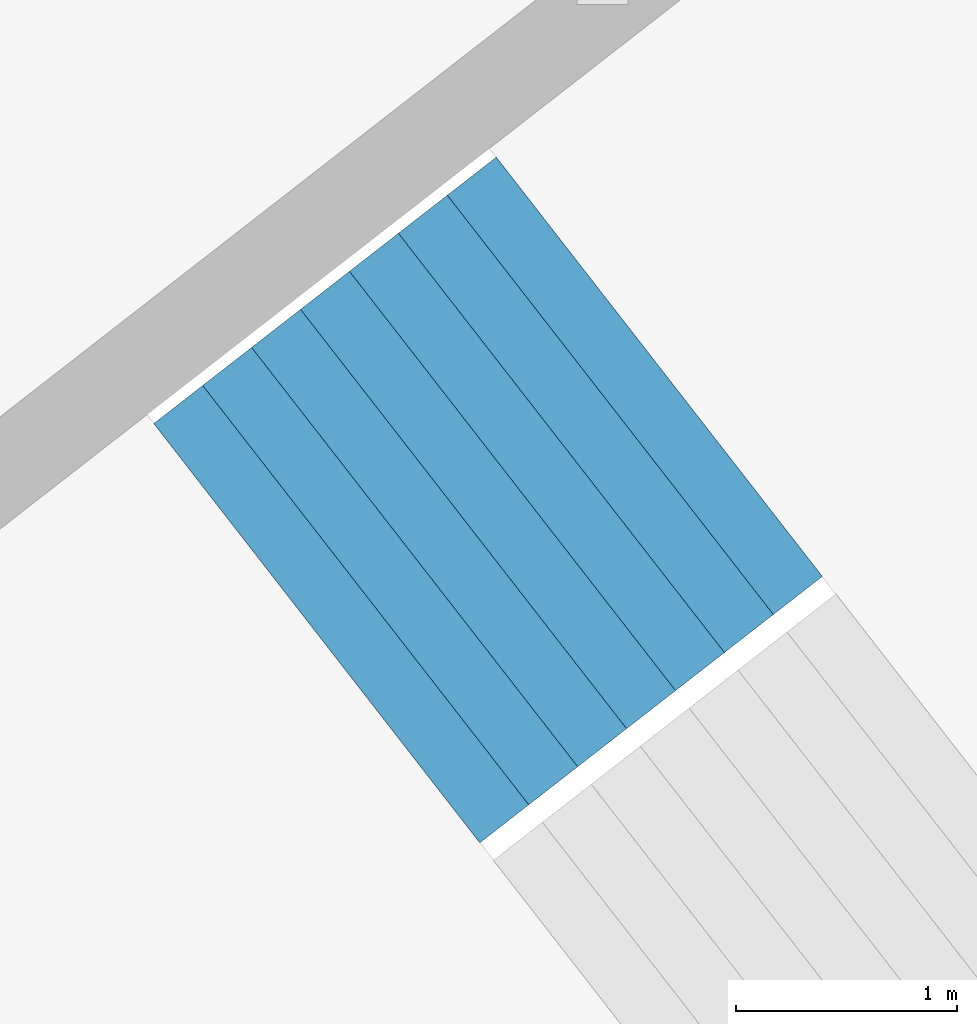
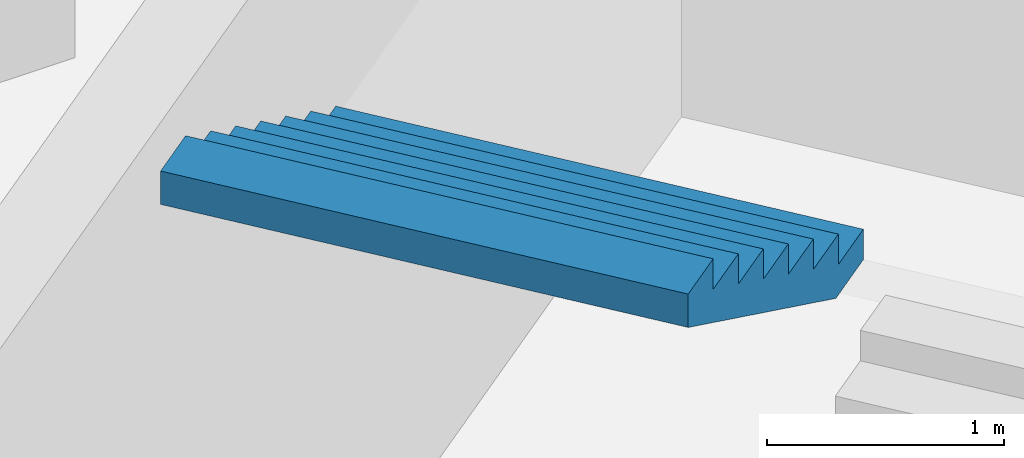
# One storey, part 64 of 73: 1 stair flight, 1 element without a shape of its own.
"""IFC4 building model written with IfcOpenShell, lengths in metres."""

from ifc_helpers import new_model, si_unit, direction, frame, origin, place, context, subcontext, project, spatial, triangles, material, type_object, element, aggregate, save


model = new_model("IFC4")

# Units and contexts
model_context = context("Model", 3, precision=1e-05, world=origin(), true_north=direction((0.0, 1.0)))
body_context = subcontext(model_context, "Body", "Model", "MODEL_VIEW")
ifc_project = project(units=[si_unit("LENGTHUNIT", "METRE"), si_unit("AREAUNIT", "SQUARE_METRE"), si_unit("VOLUMEUNIT", "CUBIC_METRE"), si_unit("PLANEANGLEUNIT", "RADIAN"), si_unit("MASSUNIT", "GRAM", prefix="KILO")], contexts=[model_context])

# Site, building, storey
site_placement = place(None, origin())
site = spatial("IfcSite", under=ifc_project, at=site_placement, CompositionType="ELEMENT")
building_placement = place(site_placement, origin())
building = spatial("IfcBuilding", under=site, at=building_placement, Name="Lantaw Convention Tower", CompositionType="ELEMENT")
storey_placement = place(building_placement, frame((0.0, 0.0, 27.0)))
storey = spatial("IfcBuildingStorey", under=building, at=storey_placement, Name="L04", CompositionType="ELEMENT", Elevation=27.0)

# Stair, stair flight
ifc_material = material(Name="Concrete C35/45", Category="concrete")
stair_type = type_object("IfcStairType", Name="Exit stair 2400 riser 156.25 in 4 flights", PredefinedType="HALF_TURN_STAIR", material=ifc_material)
stair_placement = place(storey_placement, origin())
stair = element("IfcStair", 1, at=stair_placement, inside=storey, type_object=stair_type, Name="Podium exit stair P3 L04", PredefinedType="HALF_TURN_STAIR")
stair_flight_type = type_object("IfcStairFlightType", Name="Stair flight 2400 riser 156.25", PredefinedType="STRAIGHT", material=ifc_material)
stair_flight_placement = place(storey_placement, frame((29.5068359375, 24.53125, 3.75), z_axis=(0.0, 0.0, 1.0), x_axis=(-0.789378829664, -0.613906396186, 0.0)))
stair_flight = element("IfcStairFlight", 2, at=stair_flight_placement, type_object=stair_flight_type, Name="P3 flight 4", NumberOfRisers=8, NumberOfTreads=7, PredefinedType="STRAIGHT", RiserHeight=0.15625, TreadLength=0.28, context=body_context, shape_type="Tessellation", body=[
    triangles([(0.0, 1.199951171875, 0.0), (0.0, 1.199951171875, 0.15625), (0.28, 1.199951171875, 0.0), (0.28, 1.199951171875, 0.15625), (0.28, 1.199951171875, 0.3125), (0.3076200632058044, 1.199951171875, 0.0), (0.3076200632058044, 1.199951171875, 0.3125), (0.56, 1.199951171875, 0.14083701830033238), (0.56, 1.199951171875, 0.3125), (0.56, 1.199951171875, 0.46875), (0.8400000000000001, 1.199951171875, 0.29708701830033235), (0.8400000000000001, 1.199951171875, 0.46875), (0.8400000000000001, 1.199951171875, 0.625), (1.12, 1.199951171875, 0.45333701830033235), (1.12, 1.199951171875, 0.625), (1.12, 1.199951171875, 0.78125), (1.4000000000000001, 1.199951171875, 0.6095870183003324), (1.4000000000000001, 1.199951171875, 0.78125), (1.4000000000000001, 1.199951171875, 0.9375), (1.6800000000000002, 1.199951171875, 0.7658370183003324), (1.6800000000000002, 1.199951171875, 0.9375), (1.6800000000000002, 1.199951171875, 1.09375), (1.9600000000000002, 1.199951171875, 0.9220870183003324), (1.9600000000000002, 1.199951171875, 1.09375), (0.0, -1.199951171875, 0.0), (0.0, -1.199951171875, 0.15625), (0.28, -1.199951171875, 0.0), (0.28, -1.199951171875, 0.15625), (0.28, -1.199951171875, 0.3125), (0.3076200632058044, -1.199951171875, 0.0), (0.3076200632058044, -1.199951171875, 0.3125), (0.56, -1.199951171875, 0.14083701830033238), (0.56, -1.199951171875, 0.3125), (0.56, -1.199951171875, 0.46875), (0.8400000000000001, -1.199951171875, 0.29708701830033235), (0.8400000000000001, -1.199951171875, 0.46875), (0.8400000000000001, -1.199951171875, 0.625), (1.12, -1.199951171875, 0.45333701830033235), (1.12, -1.199951171875, 0.625), (1.12, -1.199951171875, 0.78125), (1.4000000000000001, -1.199951171875, 0.6095870183003324), (1.4000000000000001, -1.199951171875, 0.78125), (1.4000000000000001, -1.199951171875, 0.9375), (1.6800000000000002, -1.199951171875, 0.7658370183003324), (1.6800000000000002, -1.199951171875, 0.9375), (1.6800000000000002, -1.199951171875, 1.09375), (1.9600000000000002, -1.199951171875, 0.9220870183003324), (1.9600000000000002, -1.199951171875, 1.09375), (0.0, 0.239990234375, 0.15625), (0.0, 0.239990234375, 0.0), (0.0, 0.1919921875, 0.15625), (0.0, 0.1919921875, 0.0), (0.0, 0.143994140625, 0.15625), (0.0, 0.143994140625, 0.0), (0.0, 0.09599609375, 0.15625), (0.0, 0.09599609375, 0.0), (0.0, 0.047998046875, 0.15625), (0.0, 0.047998046875, 0.0), (0.0, 0.0, 0.15625), (0.0, 0.0, 0.0), (0.0, -0.047998046875, 0.15625), (0.0, -0.047998046875, 0.0), (0.0, -0.09599609375, 0.15625), (0.0, -0.09599609375, 0.0), (0.0, -0.143994140625, 0.15625), (0.0, -0.143994140625, 0.0), (0.0, -0.1919921875, 0.15625), (0.0, -0.1919921875, 0.0), (0.0, -0.239990234375, 0.15625), (0.0, -0.239990234375, 0.0), (0.28, 0.239990234375, 0.3125), (0.28, 0.239990234375, 0.15625), (0.28, 0.1919921875, 0.3125), (0.28, 0.1919921875, 0.15625), (0.28, 0.143994140625, 0.3125), (0.28, 0.143994140625, 0.15625), (0.28, 0.09599609375, 0.3125), (0.28, 0.09599609375, 0.15625), (0.28, 0.047998046875, 0.3125), (0.28, 0.047998046875, 0.15625), (0.28, 0.0, 0.3125), (0.28, 0.0, 0.15625), (0.28, -0.047998046875, 0.3125), (0.28, -0.047998046875, 0.15625), (0.28, -0.09599609375, 0.3125), (0.28, -0.09599609375, 0.15625), (0.28, -0.143994140625, 0.3125), (0.28, -0.143994140625, 0.15625), (0.28, -0.1919921875, 0.3125), (0.28, -0.1919921875, 0.15625), (0.28, -0.239990234375, 0.3125), (0.28, -0.239990234375, 0.15625), (0.56, 0.239990234375, 0.46875), (0.56, 0.239990234375, 0.3125), (0.56, 0.1919921875, 0.46875), (0.56, 0.1919921875, 0.3125), (0.56, 0.143994140625, 0.46875), (0.56, 0.143994140625, 0.3125), (0.56, 0.09599609375, 0.46875), (0.56, 0.09599609375, 0.3125), (0.56, 0.047998046875, 0.46875), (0.56, 0.047998046875, 0.3125), (0.56, 0.0, 0.46875), (0.56, 0.0, 0.3125), (0.56, -0.047998046875, 0.46875), (0.56, -0.047998046875, 0.3125), (0.56, -0.09599609375, 0.46875), (0.56, -0.09599609375, 0.3125), (0.56, -0.143994140625, 0.46875), (0.56, -0.143994140625, 0.3125), (0.56, -0.1919921875, 0.46875), (0.56, -0.1919921875, 0.3125), (0.56, -0.239990234375, 0.46875), (0.56, -0.239990234375, 0.3125), (0.8400000000000001, 0.239990234375, 0.625), (0.8400000000000001, 0.239990234375, 0.46875), (0.8400000000000001, 0.1919921875, 0.625), (0.8400000000000001, 0.1919921875, 0.46875), (0.8400000000000001, 0.143994140625, 0.625), (0.8400000000000001, 0.143994140625, 0.46875), (0.8400000000000001, 0.09599609375, 0.625), (0.8400000000000001, 0.09599609375, 0.46875), (0.8400000000000001, 0.047998046875, 0.625), (0.8400000000000001, 0.047998046875, 0.46875), (0.8400000000000001, 0.0, 0.625), (0.8400000000000001, 0.0, 0.46875), (0.8400000000000001, -0.047998046875, 0.625), (0.8400000000000001, -0.047998046875, 0.46875), (0.8400000000000001, -0.09599609375, 0.625), (0.8400000000000001, -0.09599609375, 0.46875), (0.8400000000000001, -0.143994140625, 0.625), (0.8400000000000001, -0.143994140625, 0.46875), (0.8400000000000001, -0.1919921875, 0.625), (0.8400000000000001, -0.1919921875, 0.46875), (0.8400000000000001, -0.239990234375, 0.625), (0.8400000000000001, -0.239990234375, 0.46875), (1.12, 0.239990234375, 0.78125), (1.12, 0.239990234375, 0.625), (1.12, 0.1919921875, 0.78125), (1.12, 0.1919921875, 0.625), (1.12, 0.143994140625, 0.78125), (1.12, 0.143994140625, 0.625), (1.12, 0.09599609375, 0.78125), (1.12, 0.09599609375, 0.625), (1.12, 0.047998046875, 0.78125), (1.12, 0.047998046875, 0.625), (1.12, 0.0, 0.78125), (1.12, 0.0, 0.625), (1.12, -0.047998046875, 0.78125), (1.12, -0.047998046875, 0.625), (1.12, -0.09599609375, 0.78125), (1.12, -0.09599609375, 0.625), (1.12, -0.143994140625, 0.78125), (1.12, -0.143994140625, 0.625), (1.12, -0.1919921875, 0.78125), (1.12, -0.1919921875, 0.625), (1.12, -0.239990234375, 0.78125), (1.12, -0.239990234375, 0.625), (1.4000000000000001, 0.239990234375, 0.9375), (1.4000000000000001, 0.239990234375, 0.78125), (1.4000000000000001, 0.1919921875, 0.9375), (1.4000000000000001, 0.1919921875, 0.78125), (1.4000000000000001, 0.143994140625, 0.9375), (1.4000000000000001, 0.143994140625, 0.78125), (1.4000000000000001, 0.09599609375, 0.9375), (1.4000000000000001, 0.09599609375, 0.78125), (1.4000000000000001, 0.047998046875, 0.9375), (1.4000000000000001, 0.047998046875, 0.78125), (1.4000000000000001, 0.0, 0.9375), (1.4000000000000001, 0.0, 0.78125), (1.4000000000000001, -0.047998046875, 0.9375), (1.4000000000000001, -0.047998046875, 0.78125), (1.4000000000000001, -0.09599609375, 0.9375), (1.4000000000000001, -0.09599609375, 0.78125), (1.4000000000000001, -0.143994140625, 0.9375), (1.4000000000000001, -0.143994140625, 0.78125), (1.4000000000000001, -0.1919921875, 0.9375), (1.4000000000000001, -0.1919921875, 0.78125), (1.4000000000000001, -0.239990234375, 0.9375), (1.4000000000000001, -0.239990234375, 0.78125), (1.6800000000000002, 0.239990234375, 1.09375), (1.6800000000000002, 0.239990234375, 0.9375), (1.6800000000000002, 0.1919921875, 1.09375), (1.6800000000000002, 0.1919921875, 0.9375), (1.6800000000000002, 0.143994140625, 1.09375), (1.6800000000000002, 0.143994140625, 0.9375), (1.6800000000000002, 0.09599609375, 1.09375), (1.6800000000000002, 0.09599609375, 0.9375), (1.6800000000000002, 0.047998046875, 1.09375), (1.6800000000000002, 0.047998046875, 0.9375), (1.6800000000000002, 0.0, 1.09375), (1.6800000000000002, 0.0, 0.9375), (1.6800000000000002, -0.047998046875, 1.09375), (1.6800000000000002, -0.047998046875, 0.9375), (1.6800000000000002, -0.09599609375, 1.09375), (1.6800000000000002, -0.09599609375, 0.9375), (1.6800000000000002, -0.143994140625, 1.09375), (1.6800000000000002, -0.143994140625, 0.9375), (1.6800000000000002, -0.1919921875, 1.09375), (1.6800000000000002, -0.1919921875, 0.9375), (1.6800000000000002, -0.239990234375, 1.09375), (1.6800000000000002, -0.239990234375, 0.9375), (0.3076200632058044, 0.239990234375, 0.3125), (0.3076200632058044, 0.1919921875, 0.3125), (0.3076200632058044, 0.143994140625, 0.3125), (0.3076200632058044, 0.09599609375, 0.3125), (0.3076200632058044, 0.047998046875, 0.3125), (0.3076200632058044, 0.0, 0.3125), (0.3076200632058044, -0.047998046875, 0.3125), (0.3076200632058044, -0.09599609375, 0.3125), (0.3076200632058044, -0.143994140625, 0.3125), (0.3076200632058044, -0.1919921875, 0.3125), (0.3076200632058044, -0.239990234375, 0.3125), (1.9600000000000002, 0.239990234375, 1.09375), (1.9600000000000002, 0.1919921875, 1.09375), (1.9600000000000002, 0.143994140625, 1.09375), (1.9600000000000002, 0.09599609375, 1.09375), (1.9600000000000002, 0.047998046875, 1.09375), (1.9600000000000002, 0.0, 1.09375), (1.9600000000000002, -0.047998046875, 1.09375), (1.9600000000000002, -0.09599609375, 1.09375), (1.9600000000000002, -0.143994140625, 1.09375), (1.9600000000000002, -0.1919921875, 1.09375), (1.9600000000000002, -0.239990234375, 1.09375), (1.9600000000000002, 0.239990234375, 0.9220870183003324), (1.9600000000000002, 0.1919921875, 0.9220870183003324), (1.9600000000000002, 0.143994140625, 0.9220870183003324), (1.9600000000000002, 0.09599609375, 0.9220870183003324), (1.9600000000000002, 0.047998046875, 0.9220870183003324), (1.9600000000000002, 0.0, 0.9220870183003324), (1.9600000000000002, -0.047998046875, 0.9220870183003324), (1.9600000000000002, -0.09599609375, 0.9220870183003324), (1.9600000000000002, -0.143994140625, 0.9220870183003324), (1.9600000000000002, -0.1919921875, 0.9220870183003324), (1.9600000000000002, -0.239990234375, 0.9220870183003324), (1.6800000000000002, 0.239990234375, 0.7658370183003324), (1.6800000000000002, 0.1919921875, 0.7658370183003324), (1.6800000000000002, 0.143994140625, 0.7658370183003324), (1.6800000000000002, 0.09599609375, 0.7658370183003324), (1.6800000000000002, 0.047998046875, 0.7658370183003324), (1.6800000000000002, 0.0, 0.7658370183003324), (1.6800000000000002, -0.047998046875, 0.7658370183003324), (1.6800000000000002, -0.09599609375, 0.7658370183003324), (1.6800000000000002, -0.143994140625, 0.7658370183003324), (1.6800000000000002, -0.1919921875, 0.7658370183003324), (1.6800000000000002, -0.239990234375, 0.7658370183003324), (1.4000000000000001, 0.239990234375, 0.6095870183003324), (1.4000000000000001, 0.1919921875, 0.6095870183003324), (1.4000000000000001, 0.143994140625, 0.6095870183003324), (1.4000000000000001, 0.09599609375, 0.6095870183003324), (1.4000000000000001, 0.047998046875, 0.6095870183003324), (1.4000000000000001, 0.0, 0.6095870183003324), (1.4000000000000001, -0.047998046875, 0.6095870183003324), (1.4000000000000001, -0.09599609375, 0.6095870183003324), (1.4000000000000001, -0.143994140625, 0.6095870183003324), (1.4000000000000001, -0.1919921875, 0.6095870183003324), (1.4000000000000001, -0.239990234375, 0.6095870183003324), (1.12, 0.239990234375, 0.45333701830033235), (1.12, 0.1919921875, 0.45333701830033235), (1.12, 0.143994140625, 0.45333701830033235), (1.12, 0.09599609375, 0.45333701830033235), (1.12, 0.047998046875, 0.45333701830033235), (1.12, 0.0, 0.45333701830033235), (1.12, -0.047998046875, 0.45333701830033235), (1.12, -0.09599609375, 0.45333701830033235), (1.12, -0.143994140625, 0.45333701830033235), (1.12, -0.1919921875, 0.45333701830033235), (1.12, -0.239990234375, 0.45333701830033235), (0.8400000000000001, 0.239990234375, 0.29708701830033235), (0.8400000000000001, 0.1919921875, 0.29708701830033235), (0.8400000000000001, 0.143994140625, 0.29708701830033235), (0.8400000000000001, 0.09599609375, 0.29708701830033235), (0.8400000000000001, 0.047998046875, 0.29708701830033235), (0.8400000000000001, 0.0, 0.29708701830033235), (0.8400000000000001, -0.047998046875, 0.29708701830033235), (0.8400000000000001, -0.09599609375, 0.29708701830033235), (0.8400000000000001, -0.143994140625, 0.29708701830033235), (0.8400000000000001, -0.1919921875, 0.29708701830033235), (0.8400000000000001, -0.239990234375, 0.29708701830033235), (0.56, 0.239990234375, 0.14083701830033238), (0.56, 0.1919921875, 0.14083701830033238), (0.56, 0.143994140625, 0.14083701830033238), (0.56, 0.09599609375, 0.14083701830033238), (0.56, 0.047998046875, 0.14083701830033238), (0.56, 0.0, 0.14083701830033238), (0.56, -0.047998046875, 0.14083701830033238), (0.56, -0.09599609375, 0.14083701830033238), (0.56, -0.143994140625, 0.14083701830033238), (0.56, -0.1919921875, 0.14083701830033238), (0.56, -0.239990234375, 0.14083701830033238), (0.3076200632058044, 0.239990234375, 0.0), (0.3076200632058044, 0.1919921875, 0.0), (0.3076200632058044, 0.143994140625, 0.0), (0.3076200632058044, 0.09599609375, 0.0), (0.3076200632058044, 0.047998046875, 0.0), (0.3076200632058044, 0.0, 0.0), (0.3076200632058044, -0.047998046875, 0.0), (0.3076200632058044, -0.09599609375, 0.0), (0.3076200632058044, -0.143994140625, 0.0), (0.3076200632058044, -0.1919921875, 0.0), (0.3076200632058044, -0.239990234375, 0.0), (0.28, 0.239990234375, 0.0), (0.28, 0.1919921875, 0.0), (0.28, 0.143994140625, 0.0), (0.28, 0.09599609375, 0.0), (0.28, 0.047998046875, 0.0), (0.28, 0.0, 0.0), (0.28, -0.047998046875, 0.0), (0.28, -0.09599609375, 0.0), (0.28, -0.143994140625, 0.0), (0.28, -0.1919921875, 0.0), (0.28, -0.239990234375, 0.0)], [[1, 4, 3], [1, 2, 4], [3, 4, 6], [4, 7, 6], [4, 5, 7], [6, 9, 8], [6, 7, 9], [8, 9, 11], [9, 12, 11], [9, 10, 12], [11, 12, 14], [12, 15, 14], [12, 13, 15], [14, 15, 17], [15, 18, 17], [15, 16, 18], [17, 18, 20], [18, 21, 20], [18, 19, 21], [20, 21, 23], [21, 24, 23], [21, 22, 24], [25, 27, 28], [25, 28, 26], [27, 30, 28], [28, 30, 31], [28, 31, 29], [30, 32, 33], [30, 33, 31], [32, 35, 33], [33, 35, 36], [33, 36, 34], [35, 38, 36], [36, 38, 39], [36, 39, 37], [38, 41, 39], [39, 41, 42], [39, 42, 40], [41, 44, 42], [42, 44, 45], [42, 45, 43], [44, 47, 45], [45, 47, 48], [45, 48, 46], [1, 49, 2], [1, 50, 49], [50, 51, 49], [50, 52, 51], [52, 53, 51], [52, 54, 53], [54, 55, 53], [54, 56, 55], [56, 57, 55], [56, 58, 57], [58, 59, 57], [58, 60, 59], [60, 61, 59], [60, 62, 61], [62, 63, 61], [62, 64, 63], [64, 65, 63], [64, 66, 65], [66, 67, 65], [66, 68, 67], [68, 69, 67], [68, 70, 69], [70, 26, 69], [70, 25, 26], [4, 71, 5], [4, 72, 71], [72, 73, 71], [72, 74, 73], [74, 75, 73], [74, 76, 75], [76, 77, 75], [76, 78, 77], [78, 79, 77], [78, 80, 79], [80, 81, 79], [80, 82, 81], [82, 83, 81], [82, 84, 83], [84, 85, 83], [84, 86, 85], [86, 87, 85], [86, 88, 87], [88, 89, 87], [88, 90, 89], [90, 91, 89], [90, 92, 91], [92, 29, 91], [92, 28, 29], [9, 93, 10], [9, 94, 93], [94, 95, 93], [94, 96, 95], [96, 97, 95], [96, 98, 97], [98, 99, 97], [98, 100, 99], [100, 101, 99], [100, 102, 101], [102, 103, 101], [102, 104, 103], [104, 105, 103], [104, 106, 105], [106, 107, 105], [106, 108, 107], [108, 109, 107], [108, 110, 109], [110, 111, 109], [110, 112, 111], [112, 113, 111], [112, 114, 113], [114, 34, 113], [114, 33, 34], [12, 115, 13], [12, 116, 115], [116, 117, 115], [116, 118, 117], [118, 119, 117], [118, 120, 119], [120, 121, 119], [120, 122, 121], [122, 123, 121], [122, 124, 123], [124, 125, 123], [124, 126, 125], [126, 127, 125], [126, 128, 127], [128, 129, 127], [128, 130, 129], [130, 131, 129], [130, 132, 131], [132, 133, 131], [132, 134, 133], [134, 135, 133], [134, 136, 135], [136, 37, 135], [136, 36, 37], [15, 137, 16], [15, 138, 137], [138, 139, 137], [138, 140, 139], [140, 141, 139], [140, 142, 141], [142, 143, 141], [142, 144, 143], [144, 145, 143], [144, 146, 145], [146, 147, 145], [146, 148, 147], [148, 149, 147], [148, 150, 149], [150, 151, 149], [150, 152, 151], [152, 153, 151], [152, 154, 153], [154, 155, 153], [154, 156, 155], [156, 157, 155], [156, 158, 157], [158, 40, 157], [158, 39, 40], [18, 159, 19], [18, 160, 159], [160, 161, 159], [160, 162, 161], [162, 163, 161], [162, 164, 163], [164, 165, 163], [164, 166, 165], [166, 167, 165], [166, 168, 167], [168, 169, 167], [168, 170, 169], [170, 171, 169], [170, 172, 171], [172, 173, 171], [172, 174, 173], [174, 175, 173], [174, 176, 175], [176, 177, 175], [176, 178, 177], [178, 179, 177], [178, 180, 179], [180, 43, 179], [180, 42, 43], [21, 181, 22], [21, 182, 181], [182, 183, 181], [182, 184, 183], [184, 185, 183], [184, 186, 185], [186, 187, 185], [186, 188, 187], [188, 189, 187], [188, 190, 189], [190, 191, 189], [190, 192, 191], [192, 193, 191], [192, 194, 193], [194, 195, 193], [194, 196, 195], [196, 197, 195], [196, 198, 197], [198, 199, 197], [198, 200, 199], [200, 201, 199], [200, 202, 201], [202, 46, 201], [202, 45, 46], [2, 72, 4], [2, 49, 72], [49, 74, 72], [49, 51, 74], [51, 76, 74], [51, 53, 76], [53, 78, 76], [53, 55, 78], [55, 80, 78], [55, 57, 80], [57, 82, 80], [57, 59, 82], [59, 84, 82], [59, 61, 84], [61, 86, 84], [61, 63, 86], [63, 88, 86], [63, 65, 88], [65, 90, 88], [65, 67, 90], [67, 92, 90], [67, 69, 92], [69, 28, 92], [69, 26, 28], [5, 203, 7], [5, 71, 203], [71, 204, 203], [71, 73, 204], [73, 205, 204], [73, 75, 205], [75, 206, 205], [75, 77, 206], [77, 207, 206], [77, 79, 207], [79, 208, 207], [79, 81, 208], [81, 209, 208], [81, 83, 209], [83, 210, 209], [83, 85, 210], [85, 211, 210], [85, 87, 211], [87, 212, 211], [87, 89, 212], [89, 213, 212], [89, 91, 213], [91, 31, 213], [91, 29, 31], [7, 94, 9], [7, 203, 94], [203, 96, 94], [203, 204, 96], [204, 98, 96], [204, 205, 98], [205, 100, 98], [205, 206, 100], [206, 102, 100], [206, 207, 102], [207, 104, 102], [207, 208, 104], [208, 106, 104], [208, 209, 106], [209, 108, 106], [209, 210, 108], [210, 110, 108], [210, 211, 110], [211, 112, 110], [211, 212, 112], [212, 114, 112], [212, 213, 114], [213, 33, 114], [213, 31, 33], [10, 116, 12], [10, 93, 116], [93, 118, 116], [93, 95, 118], [95, 120, 118], [95, 97, 120], [97, 122, 120], [97, 99, 122], [99, 124, 122], [99, 101, 124], [101, 126, 124], [101, 103, 126], [103, 128, 126], [103, 105, 128], [105, 130, 128], [105, 107, 130], [107, 132, 130], [107, 109, 132], [109, 134, 132], [109, 111, 134], [111, 136, 134], [111, 113, 136], [113, 36, 136], [113, 34, 36], [13, 138, 15], [13, 115, 138], [115, 140, 138], [115, 117, 140], [117, 142, 140], [117, 119, 142], [119, 144, 142], [119, 121, 144], [121, 146, 144], [121, 123, 146], [123, 148, 146], [123, 125, 148], [125, 150, 148], [125, 127, 150], [127, 152, 150], [127, 129, 152], [129, 154, 152], [129, 131, 154], [131, 156, 154], [131, 133, 156], [133, 158, 156], [133, 135, 158], [135, 39, 158], [135, 37, 39], [16, 160, 18], [16, 137, 160], [137, 162, 160], [137, 139, 162], [139, 164, 162], [139, 141, 164], [141, 166, 164], [141, 143, 166], [143, 168, 166], [143, 145, 168], [145, 170, 168], [145, 147, 170], [147, 172, 170], [147, 149, 172], [149, 174, 172], [149, 151, 174], [151, 176, 174], [151, 153, 176], [153, 178, 176], [153, 155, 178], [155, 180, 178], [155, 157, 180], [157, 42, 180], [157, 40, 42], [19, 182, 21], [19, 159, 182], [159, 184, 182], [159, 161, 184], [161, 186, 184], [161, 163, 186], [163, 188, 186], [163, 165, 188], [165, 190, 188], [165, 167, 190], [167, 192, 190], [167, 169, 192], [169, 194, 192], [169, 171, 194], [171, 196, 194], [171, 173, 196], [173, 198, 196], [173, 175, 198], [175, 200, 198], [175, 177, 200], [177, 202, 200], [177, 179, 202], [179, 45, 202], [179, 43, 45], [22, 214, 24], [22, 181, 214], [181, 215, 214], [181, 183, 215], [183, 216, 215], [183, 185, 216], [185, 217, 216], [185, 187, 217], [187, 218, 217], [187, 189, 218], [189, 219, 218], [189, 191, 219], [191, 220, 219], [191, 193, 220], [193, 221, 220], [193, 195, 221], [195, 222, 221], [195, 197, 222], [197, 223, 222], [197, 199, 223], [199, 224, 223], [199, 201, 224], [201, 48, 224], [201, 46, 48], [24, 225, 23], [24, 214, 225], [214, 226, 225], [214, 215, 226], [215, 227, 226], [215, 216, 227], [216, 228, 227], [216, 217, 228], [217, 229, 228], [217, 218, 229], [218, 230, 229], [218, 219, 230], [219, 231, 230], [219, 220, 231], [220, 232, 231], [220, 221, 232], [221, 233, 232], [221, 222, 233], [222, 234, 233], [222, 223, 234], [223, 235, 234], [223, 224, 235], [224, 47, 235], [224, 48, 47], [23, 236, 20], [23, 225, 236], [225, 237, 236], [225, 226, 237], [226, 238, 237], [226, 227, 238], [227, 239, 238], [227, 228, 239], [228, 240, 239], [228, 229, 240], [229, 241, 240], [229, 230, 241], [230, 242, 241], [230, 231, 242], [231, 243, 242], [231, 232, 243], [232, 244, 243], [232, 233, 244], [233, 245, 244], [233, 234, 245], [234, 246, 245], [234, 235, 246], [235, 44, 246], [235, 47, 44], [20, 247, 17], [20, 236, 247], [236, 248, 247], [236, 237, 248], [237, 249, 248], [237, 238, 249], [238, 250, 249], [238, 239, 250], [239, 251, 250], [239, 240, 251], [240, 252, 251], [240, 241, 252], [241, 253, 252], [241, 242, 253], [242, 254, 253], [242, 243, 254], [243, 255, 254], [243, 244, 255], [244, 256, 255], [244, 245, 256], [245, 257, 256], [245, 246, 257], [246, 41, 257], [246, 44, 41], [17, 258, 14], [17, 247, 258], [247, 259, 258], [247, 248, 259], [248, 260, 259], [248, 249, 260], [249, 261, 260], [249, 250, 261], [250, 262, 261], [250, 251, 262], [251, 263, 262], [251, 252, 263], [252, 264, 263], [252, 253, 264], [253, 265, 264], [253, 254, 265], [254, 266, 265], [254, 255, 266], [255, 267, 266], [255, 256, 267], [256, 268, 267], [256, 257, 268], [257, 38, 268], [257, 41, 38], [14, 269, 11], [14, 258, 269], [258, 270, 269], [258, 259, 270], [259, 271, 270], [259, 260, 271], [260, 272, 271], [260, 261, 272], [261, 273, 272], [261, 262, 273], [262, 274, 273], [262, 263, 274], [263, 275, 274], [263, 264, 275], [264, 276, 275], [264, 265, 276], [265, 277, 276], [265, 266, 277], [266, 278, 277], [266, 267, 278], [267, 279, 278], [267, 268, 279], [268, 35, 279], [268, 38, 35], [11, 280, 8], [11, 269, 280], [269, 281, 280], [269, 270, 281], [270, 282, 281], [270, 271, 282], [271, 283, 282], [271, 272, 283], [272, 284, 283], [272, 273, 284], [273, 285, 284], [273, 274, 285], [274, 286, 285], [274, 275, 286], [275, 287, 286], [275, 276, 287], [276, 288, 287], [276, 277, 288], [277, 289, 288], [277, 278, 289], [278, 290, 289], [278, 279, 290], [279, 32, 290], [279, 35, 32], [8, 291, 6], [8, 280, 291], [280, 292, 291], [280, 281, 292], [281, 293, 292], [281, 282, 293], [282, 294, 293], [282, 283, 294], [283, 295, 294], [283, 284, 295], [284, 296, 295], [284, 285, 296], [285, 297, 296], [285, 286, 297], [286, 298, 297], [286, 287, 298], [287, 299, 298], [287, 288, 299], [288, 300, 299], [288, 289, 300], [289, 301, 300], [289, 290, 301], [290, 30, 301], [290, 32, 30], [6, 302, 3], [6, 291, 302], [291, 303, 302], [291, 292, 303], [292, 304, 303], [292, 293, 304], [293, 305, 304], [293, 294, 305], [294, 306, 305], [294, 295, 306], [295, 307, 306], [295, 296, 307], [296, 308, 307], [296, 297, 308], [297, 309, 308], [297, 298, 309], [298, 310, 309], [298, 299, 310], [299, 311, 310], [299, 300, 311], [300, 312, 311], [300, 301, 312], [301, 27, 312], [301, 30, 27], [3, 50, 1], [3, 302, 50], [302, 52, 50], [302, 303, 52], [303, 54, 52], [303, 304, 54], [304, 56, 54], [304, 305, 56], [305, 58, 56], [305, 306, 58], [306, 60, 58], [306, 307, 60], [307, 62, 60], [307, 308, 62], [308, 64, 62], [308, 309, 64], [309, 66, 64], [309, 310, 66], [310, 68, 66], [310, 311, 68], [311, 70, 68], [311, 312, 70], [312, 25, 70], [312, 27, 25]], closed=True),
])
aggregate(stair, [stair_flight])

save(model, "model.ifc")
